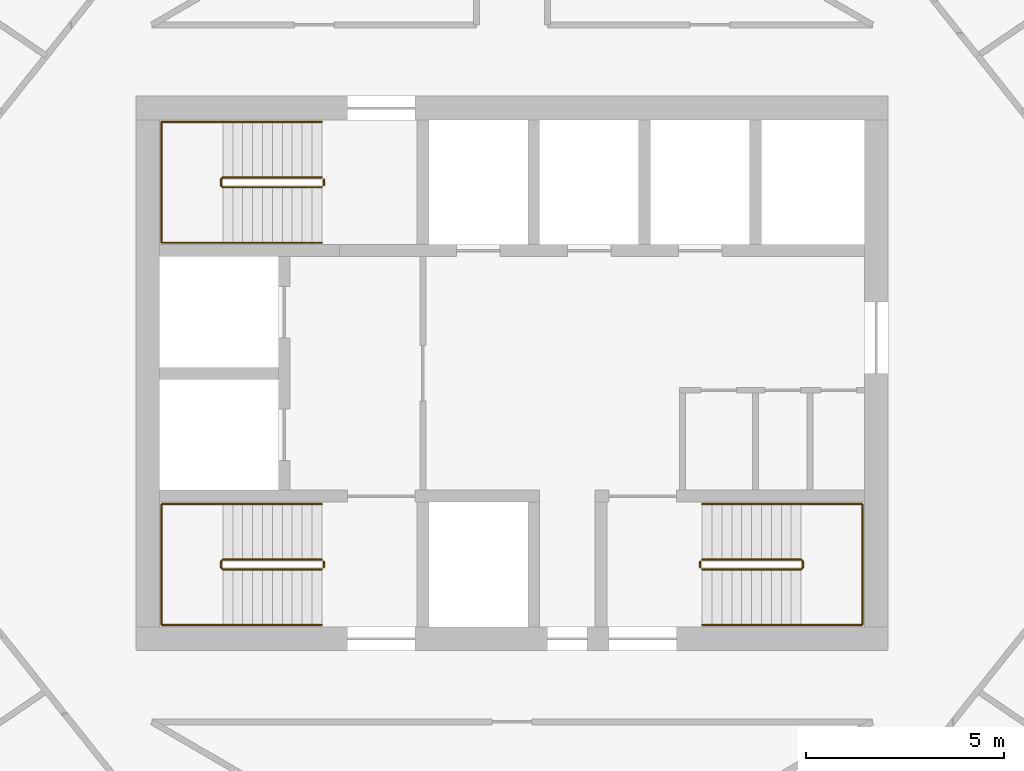
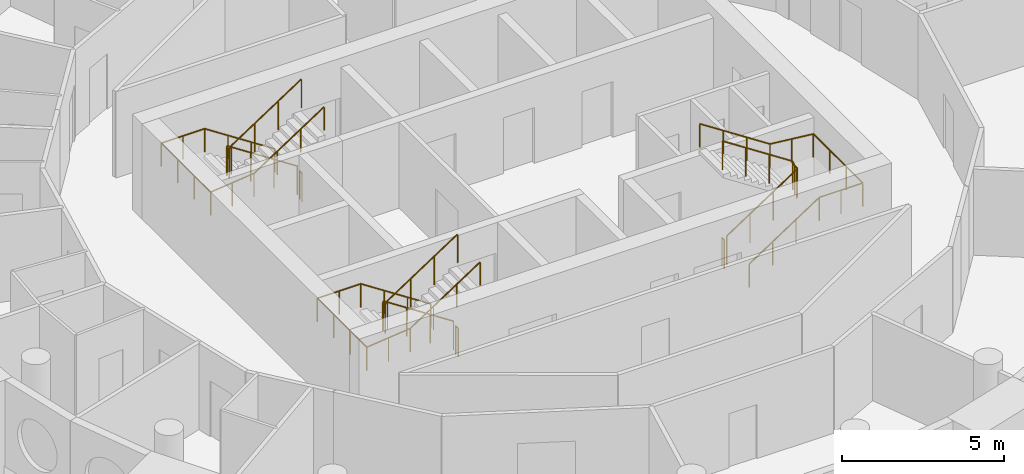
# One storey, part 12 of 12: 9 railings.
"""IFC4 building model written with IfcOpenShell, lengths in metres."""

from ifc_helpers import new_model, si_unit, direction, frame, origin, origin_2d, place, context, subcontext, project, spatial, circle, extrude, material, type_object, element, save


model = new_model("IFC4")

# Units and contexts
model_context = context("Model", 3, precision=1e-05, world=origin(), true_north=direction((0.0, 1.0)))
body_context = subcontext(model_context, "Body", "Model", "MODEL_VIEW")
ifc_project = project(units=[si_unit("LENGTHUNIT", "METRE"), si_unit("AREAUNIT", "SQUARE_METRE"), si_unit("VOLUMEUNIT", "CUBIC_METRE"), si_unit("PLANEANGLEUNIT", "RADIAN"), si_unit("MASSUNIT", "GRAM", prefix="KILO")], contexts=[model_context])

# Site, building, storey
site_placement = place(None, origin())
site = spatial("IfcSite", under=ifc_project, at=site_placement, CompositionType="ELEMENT")
building_placement = place(site_placement, origin())
building = spatial("IfcBuilding", under=site, at=building_placement, Name="Tracery Tower", CompositionType="ELEMENT")
storey_placement = place(building_placement, frame((0.0, 0.0, 312.60009765625)))
storey = spatial("IfcBuildingStorey", under=building, at=storey_placement, Name="L81", CompositionType="ELEMENT", Elevation=312.60009765625)

# Railings
ifc_material_1 = material(Name="Stainless steel and laminated glass", Category="steel")
railing_type_1 = type_object("IfcRailingType", Name="Stair guard 1100", PredefinedType="GUARDRAIL", material=ifc_material_1)
railing_1_placement = place(storey_placement, frame((-4.800048828125, -4.699951171875, 0.16357421875)))
element("IfcRailing", 1, at=railing_1_placement, inside=storey, type_object=railing_type_1, Name="L81 stair ST1 guard 1", PredefinedType="GUARDRAIL", context=body_context, shape_type="SweptSolid", body=[
    extrude(circle(Radius=0.02392578125, at=origin_2d()), frame((0.0, 0.0, 1.076171875), z_axis=(-0.836721939367, 0.0, 0.547627972425), x_axis=(0.0, -1.0, 0.0)), (0.0, 0.0, 1.0), 2.98779296875),
    extrude(circle(Radius=0.02392578125, at=origin_2d()), frame((-2.5, 0.0, 2.71240234375), z_axis=(-0.707106781187, -0.707106781187, 0.0), x_axis=(0.707106781187, -0.707106781187, 0.0)), (0.0, 0.0, 1.0), 0.07080078125),
    extrude(circle(Radius=0.02392578125, at=origin_2d()), frame((-2.550048828125, -0.050048828125, 2.71240234375), z_axis=(0.0, -1.0, 0.0), x_axis=(1.0, 0.0, 0.0)), (0.0, 0.0, 1.0), 0.14990234375),
    extrude(circle(Radius=0.02392578125, at=origin_2d()), frame((-2.550048828125, -0.199951171875, 2.71240234375), z_axis=(0.280456126637, -0.280456126637, 0.917980785237), x_axis=(0.707106781187, 0.707106781187, 0.0)), (0.0, 0.0, 1.0), 0.178466796875),
    extrude(circle(Radius=0.02392578125, at=origin_2d()), frame((-2.5, -0.25, 2.8759765625), z_axis=(0.836721939367, 0.0, 0.547627972425), x_axis=(0.0, 1.0, 0.0)), (0.0, 0.0, 1.0), 2.98779296875),
    extrude(circle(Radius=0.02099609375, at=origin_2d()), origin(), (0.0, 0.0, 1.0), 1.052001953125),
    extrude(circle(Radius=0.02099609375, at=origin_2d()), frame((-0.833251953125, 0.0, 0.54541015625)), (0.0, 0.0, 1.0), 1.052001953125),
    extrude(circle(Radius=0.02099609375, at=origin_2d()), frame((-1.666748046875, 0.0, 1.0908203125)), (0.0, 0.0, 1.0), 1.052001953125),
    extrude(circle(Radius=0.02099609375, at=origin_2d()), frame((-2.5, 0.0, 1.63623046875)), (0.0, 0.0, 1.0), 1.052001953125),
    extrude(circle(Radius=0.02099609375, at=origin_2d()), frame((-2.550048828125, -0.050048828125, 1.63623046875)), (0.0, 0.0, 1.0), 1.052001953125),
    extrude(circle(Radius=0.02099609375, at=origin_2d()), frame((-2.550048828125, -0.199951171875, 1.63623046875)), (0.0, 0.0, 1.0), 1.052001953125),
    extrude(circle(Radius=0.02099609375, at=origin_2d()), frame((-2.5, -0.25, 1.800048828125)), (0.0, 0.0, 1.0), 1.052001953125),
    extrude(circle(Radius=0.02099609375, at=origin_2d()), frame((-1.666748046875, -0.25, 2.345458984375)), (0.0, 0.0, 1.0), 1.052001953125),
    extrude(circle(Radius=0.02099609375, at=origin_2d()), frame((-0.833251953125, -0.25, 2.890869140625)), (0.0, 0.0, 1.0), 1.052001953125),
    extrude(circle(Radius=0.02099609375, at=origin_2d()), frame((0.0, -0.25, 3.436279296875)), (0.0, 0.0, 1.0), 1.052001953125),
])
railing_2_placement = place(storey_placement, frame((-4.75, -4.75, 0.0)))
element("IfcRailing", 2, at=railing_2_placement, inside=storey, type_object=railing_type_1, Name="L81 stair ST1 guard 2", PredefinedType="GUARDRAIL", context=body_context, shape_type="SweptSolid", body=[
    extrude(circle(Radius=0.02392578125, at=origin_2d()), frame((0.0, 0.0, 1.076171875), z_axis=(0.0, -1.0, 0.0), x_axis=(1.0, 0.0, 0.0)), (0.0, 0.0, 1.0), 0.14990234375),
    extrude(circle(Radius=0.02099609375, at=origin_2d()), origin(), (0.0, 0.0, 1.0), 1.052001953125),
    extrude(circle(Radius=0.02099609375, at=origin_2d()), frame((0.0, -0.14990234375, 0.0)), (0.0, 0.0, 1.0), 1.052001953125),
])
railing_3_placement = place(storey_placement, frame((-4.800048828125, 4.949951171875, 0.16357421875)))
element("IfcRailing", 3, at=railing_3_placement, inside=storey, type_object=railing_type_1, Name="L81 stair ST3 guard 1", PredefinedType="GUARDRAIL", context=body_context, shape_type="SweptSolid", body=[
    extrude(circle(Radius=0.02392578125, at=origin_2d()), frame((0.0, 0.0, 1.076171875), z_axis=(-0.836721939367, 0.0, 0.547627972425), x_axis=(0.0, -1.0, 0.0)), (0.0, 0.0, 1.0), 2.98779296875),
    extrude(circle(Radius=0.02392578125, at=origin_2d()), frame((-2.5, 0.0, 2.71240234375), z_axis=(-0.707106781187, -0.707106781187, 0.0), x_axis=(0.707106781187, -0.707106781187, 0.0)), (0.0, 0.0, 1.0), 0.07080078125),
    extrude(circle(Radius=0.02392578125, at=origin_2d()), frame((-2.550048828125, -0.050048828125, 2.71240234375), z_axis=(0.0, -1.0, 0.0), x_axis=(1.0, 0.0, 0.0)), (0.0, 0.0, 1.0), 0.14990234375),
    extrude(circle(Radius=0.02392578125, at=origin_2d()), frame((-2.550048828125, -0.199951171875, 2.71240234375), z_axis=(0.280456126637, -0.280456126637, 0.917980785237), x_axis=(0.707106781187, 0.707106781187, 0.0)), (0.0, 0.0, 1.0), 0.178466796875),
    extrude(circle(Radius=0.02392578125, at=origin_2d()), frame((-2.5, -0.25, 2.8759765625), z_axis=(0.836721939367, 0.0, 0.547627972425), x_axis=(0.0, 1.0, 0.0)), (0.0, 0.0, 1.0), 2.98779296875),
    extrude(circle(Radius=0.02099609375, at=origin_2d()), origin(), (0.0, 0.0, 1.0), 1.052001953125),
    extrude(circle(Radius=0.02099609375, at=origin_2d()), frame((-0.833251953125, 0.0, 0.54541015625)), (0.0, 0.0, 1.0), 1.052001953125),
    extrude(circle(Radius=0.02099609375, at=origin_2d()), frame((-1.666748046875, 0.0, 1.0908203125)), (0.0, 0.0, 1.0), 1.052001953125),
    extrude(circle(Radius=0.02099609375, at=origin_2d()), frame((-2.5, 0.0, 1.63623046875)), (0.0, 0.0, 1.0), 1.052001953125),
    extrude(circle(Radius=0.02099609375, at=origin_2d()), frame((-2.550048828125, -0.050048828125, 1.63623046875)), (0.0, 0.0, 1.0), 1.052001953125),
    extrude(circle(Radius=0.02099609375, at=origin_2d()), frame((-2.550048828125, -0.199951171875, 1.63623046875)), (0.0, 0.0, 1.0), 1.052001953125),
    extrude(circle(Radius=0.02099609375, at=origin_2d()), frame((-2.5, -0.25, 1.800048828125)), (0.0, 0.0, 1.0), 1.052001953125),
    extrude(circle(Radius=0.02099609375, at=origin_2d()), frame((-1.666748046875, -0.25, 2.345458984375)), (0.0, 0.0, 1.0), 1.052001953125),
    extrude(circle(Radius=0.02099609375, at=origin_2d()), frame((-0.833251953125, -0.25, 2.890869140625)), (0.0, 0.0, 1.0), 1.052001953125),
    extrude(circle(Radius=0.02099609375, at=origin_2d()), frame((0.0, -0.25, 3.436279296875)), (0.0, 0.0, 1.0), 1.052001953125),
])
railing_4_placement = place(storey_placement, frame((-4.75, 4.89990234375, 0.0)))
element("IfcRailing", 4, at=railing_4_placement, inside=storey, type_object=railing_type_1, Name="L81 stair ST3 guard 2", PredefinedType="GUARDRAIL", context=body_context, shape_type="SweptSolid", body=[
    extrude(circle(Radius=0.02392578125, at=origin_2d()), frame((0.0, 0.0, 1.076171875), z_axis=(0.0, -1.0, 0.0), x_axis=(1.0, 0.0, 0.0)), (0.0, 0.0, 1.0), 0.14990234375),
    extrude(circle(Radius=0.02099609375, at=origin_2d()), origin(), (0.0, 0.0, 1.0), 1.052001953125),
    extrude(circle(Radius=0.02099609375, at=origin_2d()), frame((0.0, -0.14990234375, 0.0)), (0.0, 0.0, 1.0), 1.052001953125),
])
railing_5_placement = place(storey_placement, frame((4.800048828125, -4.949951171875, 0.16357421875)))
element("IfcRailing", 5, at=railing_5_placement, inside=storey, type_object=railing_type_1, Name="L81 stair ST2 guard 1", PredefinedType="GUARDRAIL", context=body_context, shape_type="SweptSolid", body=[
    extrude(circle(Radius=0.02392578125, at=origin_2d()), frame((0.0, 0.0, 1.076171875), z_axis=(0.836721939367, 0.0, 0.547627972425), x_axis=(0.0, 1.0, 0.0)), (0.0, 0.0, 1.0), 2.98779296875),
    extrude(circle(Radius=0.02392578125, at=origin_2d()), frame((2.5, 0.0, 2.71240234375), z_axis=(0.707106781187, 0.707106781187, 0.0), x_axis=(-0.707106781187, 0.707106781187, 0.0)), (0.0, 0.0, 1.0), 0.07080078125),
    extrude(circle(Radius=0.02392578125, at=origin_2d()), frame((2.550048828125, 0.050048828125, 2.71240234375), z_axis=(0.0, 1.0, 0.0), x_axis=(-1.0, 0.0, 0.0)), (0.0, 0.0, 1.0), 0.14990234375),
    extrude(circle(Radius=0.02392578125, at=origin_2d()), frame((2.550048828125, 0.199951171875, 2.71240234375), z_axis=(-0.280456126637, 0.280456126637, 0.917980785237), x_axis=(-0.707106781187, -0.707106781187, 0.0)), (0.0, 0.0, 1.0), 0.178466796875),
    extrude(circle(Radius=0.02392578125, at=origin_2d()), frame((2.5, 0.25, 2.8759765625), z_axis=(-0.836721939367, 0.0, 0.547627972425), x_axis=(0.0, -1.0, 0.0)), (0.0, 0.0, 1.0), 2.98779296875),
    extrude(circle(Radius=0.02099609375, at=origin_2d()), origin(), (0.0, 0.0, 1.0), 1.052001953125),
    extrude(circle(Radius=0.02099609375, at=origin_2d()), frame((0.833251953125, 0.0, 0.54541015625)), (0.0, 0.0, 1.0), 1.052001953125),
    extrude(circle(Radius=0.02099609375, at=origin_2d()), frame((1.666748046875, 0.0, 1.0908203125)), (0.0, 0.0, 1.0), 1.052001953125),
    extrude(circle(Radius=0.02099609375, at=origin_2d()), frame((2.5, 0.0, 1.63623046875)), (0.0, 0.0, 1.0), 1.052001953125),
    extrude(circle(Radius=0.02099609375, at=origin_2d()), frame((2.550048828125, 0.050048828125, 1.63623046875)), (0.0, 0.0, 1.0), 1.052001953125),
    extrude(circle(Radius=0.02099609375, at=origin_2d()), frame((2.550048828125, 0.199951171875, 1.63623046875)), (0.0, 0.0, 1.0), 1.052001953125),
    extrude(circle(Radius=0.02099609375, at=origin_2d()), frame((2.5, 0.25, 1.800048828125)), (0.0, 0.0, 1.0), 1.052001953125),
    extrude(circle(Radius=0.02099609375, at=origin_2d()), frame((1.666748046875, 0.25, 2.345458984375)), (0.0, 0.0, 1.0), 1.052001953125),
    extrude(circle(Radius=0.02099609375, at=origin_2d()), frame((0.833251953125, 0.25, 2.890869140625)), (0.0, 0.0, 1.0), 1.052001953125),
    extrude(circle(Radius=0.02099609375, at=origin_2d()), frame((0.0, 0.25, 3.436279296875)), (0.0, 0.0, 1.0), 1.052001953125),
])
railing_6_placement = place(storey_placement, frame((4.75, -4.89990234375, 0.0)))
element("IfcRailing", 6, at=railing_6_placement, inside=storey, type_object=railing_type_1, Name="L81 stair ST2 guard 2", PredefinedType="GUARDRAIL", context=body_context, shape_type="SweptSolid", body=[
    extrude(circle(Radius=0.02392578125, at=origin_2d()), frame((0.0, 0.0, 1.076171875), z_axis=(0.0, 1.0, 0.0), x_axis=(-1.0, 0.0, 0.0)), (0.0, 0.0, 1.0), 0.14990234375),
    extrude(circle(Radius=0.02099609375, at=origin_2d()), origin(), (0.0, 0.0, 1.0), 1.052001953125),
    extrude(circle(Radius=0.02099609375, at=origin_2d()), frame((0.0, 0.14990234375, 0.0)), (0.0, 0.0, 1.0), 1.052001953125),
])
ifc_material_2 = material(Name="Stainless steel and laminated glass", Category="steel")
railing_type_2 = type_object("IfcRailingType", Name="Stair handrail 900", PredefinedType="HANDRAIL", material=ifc_material_2)
railing_7_placement = place(storey_placement, frame((-4.800048828125, -3.300048828125, 0.16357421875)))
element("IfcRailing", 7, at=railing_7_placement, inside=storey, type_object=railing_type_2, Name="L81 stair ST1 handrail 1", PredefinedType="HANDRAIL", context=body_context, shape_type="SweptSolid", body=[
    extrude(circle(Radius=0.02392578125, at=origin_2d()), frame((0.0, 0.0, 0.8759765625), z_axis=(-0.836721939367, 0.0, 0.547627972425), x_axis=(0.0, -1.0, 0.0)), (0.0, 0.0, 1.0), 2.98779296875),
    extrude(circle(Radius=0.02392578125, at=origin_2d()), frame((-2.5, 0.0, 2.51220703125), z_axis=(-1.0, 0.0, 0.0), x_axis=(0.0, -1.0, 0.0)), (0.0, 0.0, 1.0), 1.550048828125),
    extrude(circle(Radius=0.02392578125, at=origin_2d()), frame((-4.050048828125, 0.0, 2.51220703125), z_axis=(0.0, -1.0, 0.0), x_axis=(1.0, 0.0, 0.0)), (0.0, 0.0, 1.0), 3.050048828125),
    extrude(circle(Radius=0.02392578125, at=origin_2d()), frame((-4.050048828125, -3.050048828125, 2.51220703125), z_axis=(0.994461594632, 0.0, 0.105100603244), x_axis=(0.0, 1.0, 0.0)), (0.0, 0.0, 1.0), 1.55859375),
    extrude(circle(Radius=0.02392578125, at=origin_2d()), frame((-2.5, -3.050048828125, 2.67578125), z_axis=(0.836721939367, 0.0, 0.547627972425), x_axis=(0.0, 1.0, 0.0)), (0.0, 0.0, 1.0), 2.98779296875),
    extrude(circle(Radius=0.02099609375, at=origin_2d()), origin(), (0.0, 0.0, 1.0), 0.851806640625),
    extrude(circle(Radius=0.02099609375, at=origin_2d()), frame((-0.833251953125, 0.0, 0.54541015625)), (0.0, 0.0, 1.0), 0.851806640625),
    extrude(circle(Radius=0.02099609375, at=origin_2d()), frame((-1.666748046875, 0.0, 1.0908203125)), (0.0, 0.0, 1.0), 0.851806640625),
    extrude(circle(Radius=0.02099609375, at=origin_2d()), frame((-2.5, 0.0, 1.63623046875)), (0.0, 0.0, 1.0), 0.851806640625),
    extrude(circle(Radius=0.02099609375, at=origin_2d()), frame((-3.27490234375, 0.0, 1.63623046875)), (0.0, 0.0, 1.0), 0.851806640625),
    extrude(circle(Radius=0.02099609375, at=origin_2d()), frame((-4.050048828125, 0.0, 1.63623046875)), (0.0, 0.0, 1.0), 0.851806640625),
    extrude(circle(Radius=0.02099609375, at=origin_2d()), frame((-4.050048828125, -1.0166015625, 1.63623046875)), (0.0, 0.0, 1.0), 0.851806640625),
    extrude(circle(Radius=0.02099609375, at=origin_2d()), frame((-4.050048828125, -2.033447265625, 1.63623046875)), (0.0, 0.0, 1.0), 0.851806640625),
    extrude(circle(Radius=0.02099609375, at=origin_2d()), frame((-4.050048828125, -3.050048828125, 1.63623046875)), (0.0, 0.0, 1.0), 0.851806640625),
    extrude(circle(Radius=0.02099609375, at=origin_2d()), frame((-3.27490234375, -3.050048828125, 1.71826171875)), (0.0, 0.0, 1.0), 0.851806640625),
    extrude(circle(Radius=0.02099609375, at=origin_2d()), frame((-2.5, -3.050048828125, 1.800048828125)), (0.0, 0.0, 1.0), 0.851806640625),
    extrude(circle(Radius=0.02099609375, at=origin_2d()), frame((-1.666748046875, -3.050048828125, 2.345458984375)), (0.0, 0.0, 1.0), 0.851806640625),
    extrude(circle(Radius=0.02099609375, at=origin_2d()), frame((-0.833251953125, -3.050048828125, 2.890869140625)), (0.0, 0.0, 1.0), 0.851806640625),
    extrude(circle(Radius=0.02099609375, at=origin_2d()), frame((0.0, -3.050048828125, 3.436279296875)), (0.0, 0.0, 1.0), 0.851806640625),
])
railing_8_placement = place(storey_placement, frame((-4.800048828125, 6.35009765625, 0.16357421875)))
element("IfcRailing", 8, at=railing_8_placement, inside=storey, type_object=railing_type_2, Name="L81 stair ST3 handrail 1", PredefinedType="HANDRAIL", context=body_context, shape_type="SweptSolid", body=[
    extrude(circle(Radius=0.02392578125, at=origin_2d()), frame((0.0, 0.0, 0.8759765625), z_axis=(-0.836721939367, 0.0, 0.547627972425), x_axis=(0.0, -1.0, 0.0)), (0.0, 0.0, 1.0), 2.98779296875),
    extrude(circle(Radius=0.02392578125, at=origin_2d()), frame((-2.5, 0.0, 2.51220703125), z_axis=(-1.0, 0.0, 0.0), x_axis=(0.0, -1.0, 0.0)), (0.0, 0.0, 1.0), 1.550048828125),
    extrude(circle(Radius=0.02392578125, at=origin_2d()), frame((-4.050048828125, 0.0, 2.51220703125), z_axis=(0.0, -1.0, 0.0), x_axis=(1.0, 0.0, 0.0)), (0.0, 0.0, 1.0), 3.050048828125),
    extrude(circle(Radius=0.02392578125, at=origin_2d()), frame((-4.050048828125, -3.050048828125, 2.51220703125), z_axis=(0.994461594632, 0.0, 0.105100603244), x_axis=(0.0, 1.0, 0.0)), (0.0, 0.0, 1.0), 1.55859375),
    extrude(circle(Radius=0.02392578125, at=origin_2d()), frame((-2.5, -3.050048828125, 2.67578125), z_axis=(0.836721939367, 0.0, 0.547627972425), x_axis=(0.0, 1.0, 0.0)), (0.0, 0.0, 1.0), 2.98779296875),
    extrude(circle(Radius=0.02099609375, at=origin_2d()), origin(), (0.0, 0.0, 1.0), 0.851806640625),
    extrude(circle(Radius=0.02099609375, at=origin_2d()), frame((-0.833251953125, 0.0, 0.54541015625)), (0.0, 0.0, 1.0), 0.851806640625),
    extrude(circle(Radius=0.02099609375, at=origin_2d()), frame((-1.666748046875, 0.0, 1.0908203125)), (0.0, 0.0, 1.0), 0.851806640625),
    extrude(circle(Radius=0.02099609375, at=origin_2d()), frame((-2.5, 0.0, 1.63623046875)), (0.0, 0.0, 1.0), 0.851806640625),
    extrude(circle(Radius=0.02099609375, at=origin_2d()), frame((-3.27490234375, 0.0, 1.63623046875)), (0.0, 0.0, 1.0), 0.851806640625),
    extrude(circle(Radius=0.02099609375, at=origin_2d()), frame((-4.050048828125, 0.0, 1.63623046875)), (0.0, 0.0, 1.0), 0.851806640625),
    extrude(circle(Radius=0.02099609375, at=origin_2d()), frame((-4.050048828125, -1.0166015625, 1.63623046875)), (0.0, 0.0, 1.0), 0.851806640625),
    extrude(circle(Radius=0.02099609375, at=origin_2d()), frame((-4.050048828125, -2.033447265625, 1.63623046875)), (0.0, 0.0, 1.0), 0.851806640625),
    extrude(circle(Radius=0.02099609375, at=origin_2d()), frame((-4.050048828125, -3.050048828125, 1.63623046875)), (0.0, 0.0, 1.0), 0.851806640625),
    extrude(circle(Radius=0.02099609375, at=origin_2d()), frame((-3.27490234375, -3.050048828125, 1.71826171875)), (0.0, 0.0, 1.0), 0.851806640625),
    extrude(circle(Radius=0.02099609375, at=origin_2d()), frame((-2.5, -3.050048828125, 1.800048828125)), (0.0, 0.0, 1.0), 0.851806640625),
    extrude(circle(Radius=0.02099609375, at=origin_2d()), frame((-1.666748046875, -3.050048828125, 2.345458984375)), (0.0, 0.0, 1.0), 0.851806640625),
    extrude(circle(Radius=0.02099609375, at=origin_2d()), frame((-0.833251953125, -3.050048828125, 2.890869140625)), (0.0, 0.0, 1.0), 0.851806640625),
    extrude(circle(Radius=0.02099609375, at=origin_2d()), frame((0.0, -3.050048828125, 3.436279296875)), (0.0, 0.0, 1.0), 0.851806640625),
])
railing_9_placement = place(storey_placement, frame((4.800048828125, -6.35009765625, 0.16357421875)))
element("IfcRailing", 9, at=railing_9_placement, inside=storey, type_object=railing_type_2, Name="L81 stair ST2 handrail 1", PredefinedType="HANDRAIL", context=body_context, shape_type="SweptSolid", body=[
    extrude(circle(Radius=0.02392578125, at=origin_2d()), frame((0.0, 0.0, 0.8759765625), z_axis=(0.836721939367, 0.0, 0.547627972425), x_axis=(0.0, 1.0, 0.0)), (0.0, 0.0, 1.0), 2.98779296875),
    extrude(circle(Radius=0.02392578125, at=origin_2d()), frame((2.5, 0.0, 2.51220703125), z_axis=(1.0, 0.0, 0.0), x_axis=(0.0, 1.0, 0.0)), (0.0, 0.0, 1.0), 1.550048828125),
    extrude(circle(Radius=0.02392578125, at=origin_2d()), frame((4.050048828125, 0.0, 2.51220703125), z_axis=(0.0, 1.0, 0.0), x_axis=(-1.0, 0.0, 0.0)), (0.0, 0.0, 1.0), 3.050048828125),
    extrude(circle(Radius=0.02392578125, at=origin_2d()), frame((4.050048828125, 3.050048828125, 2.51220703125), z_axis=(-0.994461594632, 0.0, 0.105100603244), x_axis=(0.0, -1.0, 0.0)), (0.0, 0.0, 1.0), 1.55859375),
    extrude(circle(Radius=0.02392578125, at=origin_2d()), frame((2.5, 3.050048828125, 2.67578125), z_axis=(-0.836721939367, 0.0, 0.547627972425), x_axis=(0.0, -1.0, 0.0)), (0.0, 0.0, 1.0), 2.98779296875),
    extrude(circle(Radius=0.02099609375, at=origin_2d()), origin(), (0.0, 0.0, 1.0), 0.851806640625),
    extrude(circle(Radius=0.02099609375, at=origin_2d()), frame((0.833251953125, 0.0, 0.54541015625)), (0.0, 0.0, 1.0), 0.851806640625),
    extrude(circle(Radius=0.02099609375, at=origin_2d()), frame((1.666748046875, 0.0, 1.0908203125)), (0.0, 0.0, 1.0), 0.851806640625),
    extrude(circle(Radius=0.02099609375, at=origin_2d()), frame((2.5, 0.0, 1.63623046875)), (0.0, 0.0, 1.0), 0.851806640625),
    extrude(circle(Radius=0.02099609375, at=origin_2d()), frame((3.27490234375, 0.0, 1.63623046875)), (0.0, 0.0, 1.0), 0.851806640625),
    extrude(circle(Radius=0.02099609375, at=origin_2d()), frame((4.050048828125, 0.0, 1.63623046875)), (0.0, 0.0, 1.0), 0.851806640625),
    extrude(circle(Radius=0.02099609375, at=origin_2d()), frame((4.050048828125, 1.0166015625, 1.63623046875)), (0.0, 0.0, 1.0), 0.851806640625),
    extrude(circle(Radius=0.02099609375, at=origin_2d()), frame((4.050048828125, 2.033447265625, 1.63623046875)), (0.0, 0.0, 1.0), 0.851806640625),
    extrude(circle(Radius=0.02099609375, at=origin_2d()), frame((4.050048828125, 3.050048828125, 1.63623046875)), (0.0, 0.0, 1.0), 0.851806640625),
    extrude(circle(Radius=0.02099609375, at=origin_2d()), frame((3.27490234375, 3.050048828125, 1.71826171875)), (0.0, 0.0, 1.0), 0.851806640625),
    extrude(circle(Radius=0.02099609375, at=origin_2d()), frame((2.5, 3.050048828125, 1.800048828125)), (0.0, 0.0, 1.0), 0.851806640625),
    extrude(circle(Radius=0.02099609375, at=origin_2d()), frame((1.666748046875, 3.050048828125, 2.345458984375)), (0.0, 0.0, 1.0), 0.851806640625),
    extrude(circle(Radius=0.02099609375, at=origin_2d()), frame((0.833251953125, 3.050048828125, 2.890869140625)), (0.0, 0.0, 1.0), 0.851806640625),
    extrude(circle(Radius=0.02099609375, at=origin_2d()), frame((0.0, 3.050048828125, 3.436279296875)), (0.0, 0.0, 1.0), 0.851806640625),
])

save(model, "model.ifc")
